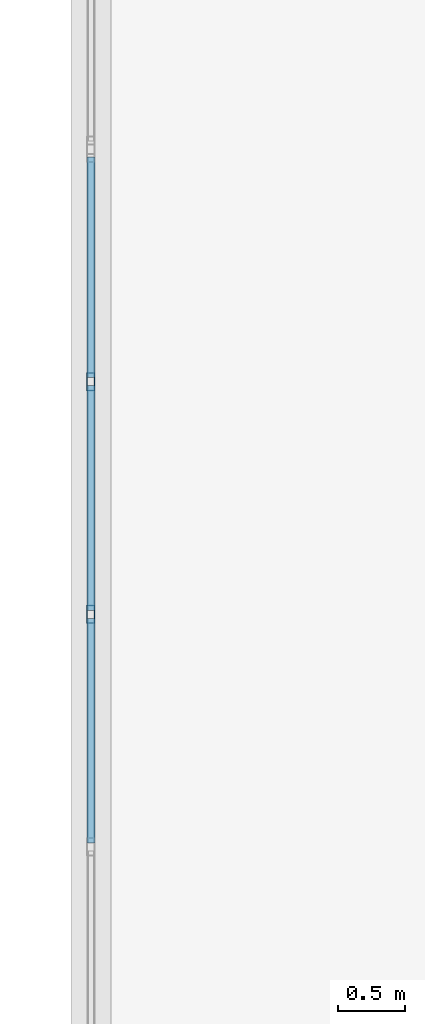
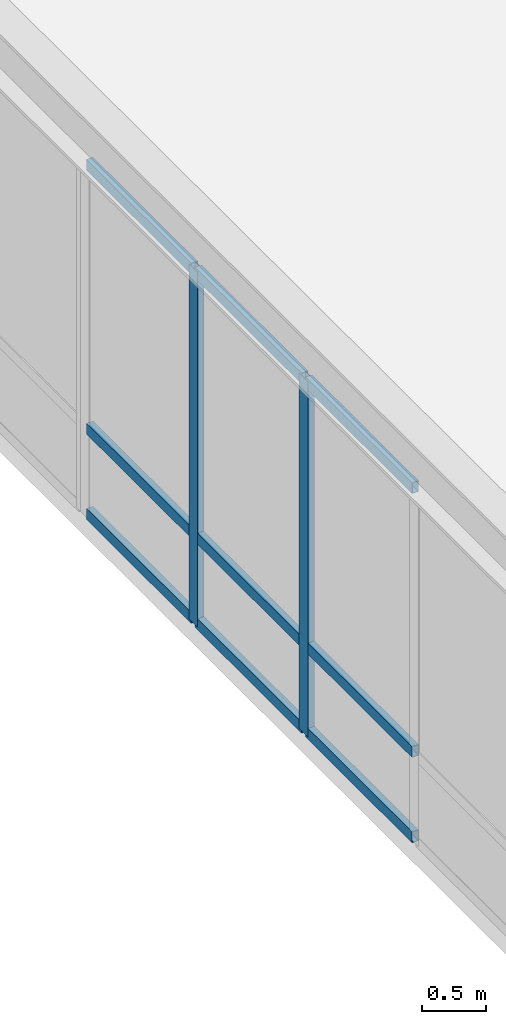
# One storey, part 19 of 36: 11 members, 1 element without a shape of its own.
"""IFC4 building model written with IfcOpenShell, lengths in metres."""

from ifc_helpers import new_model, si_unit, direction, frame, origin, origin_2d, place, context, subcontext, project, spatial, hollow_rectangle, extrude, material, material_profile, profile_set, type_object, element, aggregate, save


model = new_model("IFC4")

# Units and contexts
model_context = context("Model", 3, precision=1e-05, world=origin(), true_north=direction((0.0, 1.0)))
body_context = subcontext(model_context, "Body", "Model", "MODEL_VIEW")
ifc_project = project(units=[si_unit("LENGTHUNIT", "METRE"), si_unit("AREAUNIT", "SQUARE_METRE"), si_unit("VOLUMEUNIT", "CUBIC_METRE"), si_unit("PLANEANGLEUNIT", "RADIAN"), si_unit("MASSUNIT", "GRAM", prefix="KILO")], contexts=[model_context])

# Site, building, storey
site_placement = place(None, origin())
site = spatial("IfcSite", under=ifc_project, at=site_placement, CompositionType="ELEMENT")
building_placement = place(site_placement, origin())
building = spatial("IfcBuilding", under=site, at=building_placement, Name="Lykobir Media Centre", CompositionType="ELEMENT")
storey_placement = place(building_placement, frame((0.0, 0.0, 27.60009765625)))
storey = spatial("IfcBuildingStorey", under=building, at=storey_placement, Name="L06", CompositionType="ELEMENT", Elevation=27.60009765625)

# Curtain wall, members
ifc_material = material(Name="Anodized Aluminium AW-6060", Category="aluminium")
curtain_wall_type = type_object("IfcCurtainWallType", Name="CW-PAV-V3", PredefinedType="NOTDEFINED", material=ifc_material)
curtain_wall_placement = place(storey_placement, origin())
curtain_wall = element("IfcCurtainWall", 1, at=curtain_wall_placement, inside=storey, type_object=curtain_wall_type, Name="Curtain wall CW2-L06-0213", PredefinedType="NOTDEFINED")
ifc_material_profile_1 = material_profile(ifc_material, hollow_rectangle(XDim=0.06005859375, YDim=0.135009765625, WallThickness=0.00341796875, at=origin_2d()), Name="ALU MULLION 60x135")
ifc_profile_set_1 = profile_set([ifc_material_profile_1], Name="Anodized Aluminium AW-6060")
member_type_1 = type_object("IfcMemberType", Name="CWM-135", PredefinedType="MULLION", material=ifc_profile_set_1)
member_1_placement = place(storey_placement, frame((18.0, 32.52197265625, 0.0), z_axis=(0.0, 0.0, 1.0), x_axis=(-1.0, 0.0, 0.0)))
member_1 = element("IfcMember", 2, at=member_1_placement, type_object=member_type_1, Name="CW2-L06-0213 mullion 4", PredefinedType="MULLION", context=body_context, shape_type="SweptSolid", body=[
    extrude(hollow_rectangle(XDim=0.06005859375, YDim=0.135009765625, WallThickness=0.00341796875, at=origin_2d()), origin(), (0.0, 0.0, 1.0), 3.414794921875),
])
member_2_placement = place(storey_placement, frame((18.0, 34.260986328125, 0.0), z_axis=(0.0, 0.0, 1.0), x_axis=(-1.0, 0.0, 0.0)))
member_2 = element("IfcMember", 3, at=member_2_placement, type_object=member_type_1, Name="CW2-L06-0213 mullion 5", PredefinedType="MULLION", context=body_context, shape_type="SweptSolid", body=[
    extrude(hollow_rectangle(XDim=0.06005859375, YDim=0.135009765625, WallThickness=0.00341796875, at=origin_2d()), origin(), (0.0, 0.0, 1.0), 3.414794921875),
])
ifc_material_profile_2 = material_profile(ifc_material, hollow_rectangle(XDim=0.06005859375, YDim=0.10498046875, WallThickness=0.0029296875, at=origin_2d()), Name="ALU TRANSOM 60x105")
ifc_profile_set_2 = profile_set([ifc_material_profile_2], Name="Anodized Aluminium AW-6060")
member_type_2 = type_object("IfcMemberType", Name="CWT-105", PredefinedType="USERDEFINED", material=ifc_profile_set_2)
member_3_placement = place(storey_placement, frame((18.0, 30.81298828125, 0.02978515625), z_axis=(0.0, 1.0, 0.0), x_axis=(-1.0, 0.0, 0.0)))
member_3 = element("IfcMember", 4, at=member_3_placement, type_object=member_type_2, Name="CW2-L06-0213 transom 3.1", ObjectType="TRANSOM", PredefinedType="USERDEFINED", context=body_context, shape_type="SweptSolid", body=[
    extrude(hollow_rectangle(XDim=0.06005859375, YDim=0.10498046875, WallThickness=0.0029296875, at=origin_2d()), origin(), (0.0, 0.0, 1.0), 1.678955078125),
])
member_4_placement = place(storey_placement, frame((18.0, 30.81298828125, 0.849853515625), z_axis=(0.0, 1.0, 0.0), x_axis=(-1.0, 0.0, 0.0)))
member_4 = element("IfcMember", 5, at=member_4_placement, type_object=member_type_2, Name="CW2-L06-0213 transom 3.2", ObjectType="TRANSOM", PredefinedType="USERDEFINED", context=body_context, shape_type="SweptSolid", body=[
    extrude(hollow_rectangle(XDim=0.06005859375, YDim=0.10498046875, WallThickness=0.0029296875, at=origin_2d()), origin(), (0.0, 0.0, 1.0), 1.678955078125),
])
member_5_placement = place(storey_placement, frame((18.0, 30.81298828125, 3.385009765625), z_axis=(0.0, 1.0, 0.0), x_axis=(-1.0, 0.0, 0.0)))
member_5 = element("IfcMember", 6, at=member_5_placement, type_object=member_type_2, Name="CW2-L06-0213 transom 3.3", ObjectType="TRANSOM", PredefinedType="USERDEFINED", context=body_context, shape_type="SweptSolid", body=[
    extrude(hollow_rectangle(XDim=0.06005859375, YDim=0.10498046875, WallThickness=0.0029296875, at=origin_2d()), origin(), (0.0, 0.0, 1.0), 1.678955078125),
])
member_6_placement = place(storey_placement, frame((18.0, 32.552001953125, 0.02978515625), z_axis=(0.0, 1.0, 0.0), x_axis=(-1.0, 0.0, 0.0)))
member_6 = element("IfcMember", 7, at=member_6_placement, type_object=member_type_2, Name="CW2-L06-0213 transom 4.1", ObjectType="TRANSOM", PredefinedType="USERDEFINED", context=body_context, shape_type="SweptSolid", body=[
    extrude(hollow_rectangle(XDim=0.06005859375, YDim=0.10498046875, WallThickness=0.0029296875, at=origin_2d()), origin(), (0.0, 0.0, 1.0), 1.678955078125),
])
member_7_placement = place(storey_placement, frame((18.0, 32.552001953125, 0.849853515625), z_axis=(0.0, 1.0, 0.0), x_axis=(-1.0, 0.0, 0.0)))
member_7 = element("IfcMember", 8, at=member_7_placement, type_object=member_type_2, Name="CW2-L06-0213 transom 4.2", ObjectType="TRANSOM", PredefinedType="USERDEFINED", context=body_context, shape_type="SweptSolid", body=[
    extrude(hollow_rectangle(XDim=0.06005859375, YDim=0.10498046875, WallThickness=0.0029296875, at=origin_2d()), origin(), (0.0, 0.0, 1.0), 1.678955078125),
])
member_8_placement = place(storey_placement, frame((18.0, 32.552001953125, 3.385009765625), z_axis=(0.0, 1.0, 0.0), x_axis=(-1.0, 0.0, 0.0)))
member_8 = element("IfcMember", 9, at=member_8_placement, type_object=member_type_2, Name="CW2-L06-0213 transom 4.3", ObjectType="TRANSOM", PredefinedType="USERDEFINED", context=body_context, shape_type="SweptSolid", body=[
    extrude(hollow_rectangle(XDim=0.06005859375, YDim=0.10498046875, WallThickness=0.0029296875, at=origin_2d()), origin(), (0.0, 0.0, 1.0), 1.678955078125),
])
member_9_placement = place(storey_placement, frame((18.0, 34.291015625, 0.02978515625), z_axis=(0.0, 1.0, 0.0), x_axis=(-1.0, 0.0, 0.0)))
member_9 = element("IfcMember", 10, at=member_9_placement, type_object=member_type_2, Name="CW2-L06-0213 transom 5.1", ObjectType="TRANSOM", PredefinedType="USERDEFINED", context=body_context, shape_type="SweptSolid", body=[
    extrude(hollow_rectangle(XDim=0.06005859375, YDim=0.10498046875, WallThickness=0.0029296875, at=origin_2d()), origin(), (0.0, 0.0, 1.0), 1.64892578125),
])
member_10_placement = place(storey_placement, frame((18.0, 34.291015625, 0.849853515625), z_axis=(0.0, 1.0, 0.0), x_axis=(-1.0, 0.0, 0.0)))
member_10 = element("IfcMember", 11, at=member_10_placement, type_object=member_type_2, Name="CW2-L06-0213 transom 5.2", ObjectType="TRANSOM", PredefinedType="USERDEFINED", context=body_context, shape_type="SweptSolid", body=[
    extrude(hollow_rectangle(XDim=0.06005859375, YDim=0.10498046875, WallThickness=0.0029296875, at=origin_2d()), origin(), (0.0, 0.0, 1.0), 1.64892578125),
])
member_11_placement = place(storey_placement, frame((18.0, 34.291015625, 3.385009765625), z_axis=(0.0, 1.0, 0.0), x_axis=(-1.0, 0.0, 0.0)))
member_11 = element("IfcMember", 12, at=member_11_placement, type_object=member_type_2, Name="CW2-L06-0213 transom 5.3", ObjectType="TRANSOM", PredefinedType="USERDEFINED", context=body_context, shape_type="SweptSolid", body=[
    extrude(hollow_rectangle(XDim=0.06005859375, YDim=0.10498046875, WallThickness=0.0029296875, at=origin_2d()), origin(), (0.0, 0.0, 1.0), 1.64892578125),
])
aggregate(curtain_wall, [member_1, member_2, member_3, member_4, member_5, member_6, member_7, member_8, member_9, member_10, member_11])

save(model, "model.ifc")
